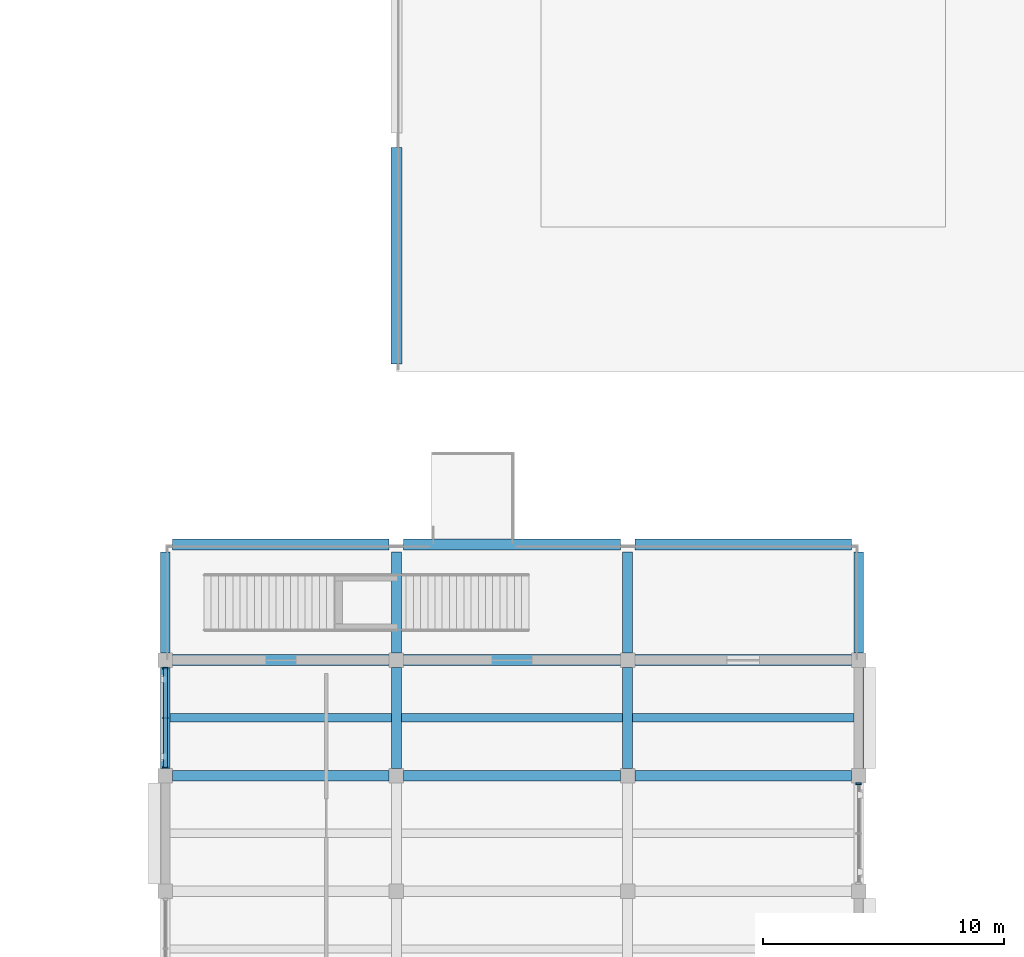
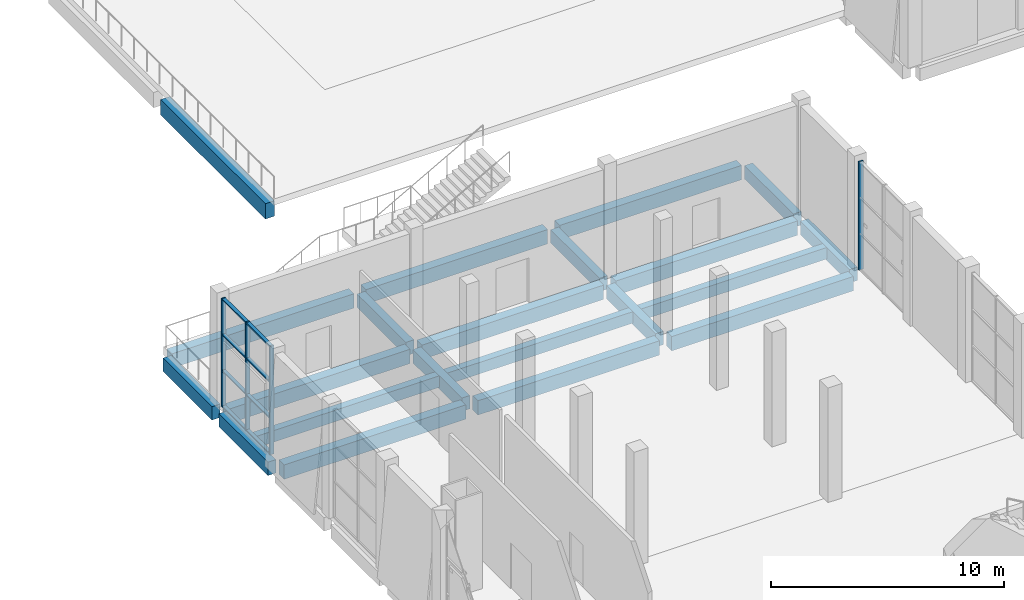
# One storey, part 16 of 84: 21 beams, 8 members, 2 elements without a shape of their own.
"""IFC4 building model written with IfcOpenShell, lengths in metres."""

from ifc_helpers import new_model, si_unit, direction, frame, origin, origin_2d, place, context, subcontext, project, spatial, rectangle, extrude, material, material_profile, profile_set, type_object, element, aggregate, save


model = new_model("IFC4")

# Units and contexts
model_context = context("Model", 3, precision=1e-05, world=origin(), true_north=direction((0.0, 1.0)))
body_context = subcontext(model_context, "Body", "Model", "MODEL_VIEW")
ifc_project = project(units=[si_unit("LENGTHUNIT", "METRE"), si_unit("AREAUNIT", "SQUARE_METRE"), si_unit("VOLUMEUNIT", "CUBIC_METRE"), si_unit("PLANEANGLEUNIT", "RADIAN"), si_unit("MASSUNIT", "GRAM", prefix="KILO")], contexts=[model_context])

# Site, building, storey
site_placement = place(None, origin())
site = spatial("IfcSite", under=ifc_project, at=site_placement, CompositionType="ELEMENT")
building_placement = place(site_placement, origin())
building = spatial("IfcBuilding", under=site, at=building_placement, Name="Shalvenor Court Art Gallery", CompositionType="ELEMENT")
storey_placement = place(building_placement, origin())
storey = spatial("IfcBuildingStorey", under=building, at=storey_placement, Name="L00", CompositionType="ELEMENT", Elevation=0.0)

# Beams
ifc_material_1 = material(Name="Concrete C40/50", Category="concrete")
ifc_material_profile_1 = material_profile(ifc_material_1, rectangle(XDim=0.449951171875, YDim=0.800048828125, at=origin_2d()), Name="RC 450x800")
ifc_profile_set_1 = profile_set([ifc_material_profile_1], Name="Concrete C40/50")
beam_type_1 = type_object("IfcBeamType", Name="B-03", PredefinedType="BEAM", material=ifc_profile_set_1)
beam_1_placement = place(storey_placement, frame((105.60009765625, 50.699951171875, -0.739990234375), z_axis=(0.0, 1.0, 0.0), x_axis=(-1.0, 0.0, 0.0)))
element("IfcBeam", 1, at=beam_1_placement, inside=storey, type_object=beam_type_1, Name="L00 Girder BM-L00-B-03-0083", PredefinedType="BEAM", context=body_context, shape_type="SweptSolid", body=[
    extrude(rectangle(XDim=0.449951171875, YDim=0.800048828125, at=origin_2d()), origin(), (0.0, 0.0, 1.0), 9.0),
])
ifc_material_2 = material(Name="Concrete C40/50", Category="concrete")
ifc_material_profile_2 = material_profile(ifc_material_2, rectangle(XDim=0.449951171875, YDim=0.75, at=origin_2d()), Name="RC 450x750")
ifc_profile_set_2 = profile_set([ifc_material_profile_2], Name="Concrete C40/50")
beam_type_2 = type_object("IfcBeamType", Name="B-04", PredefinedType="BEAM", material=ifc_profile_set_2)
for number, where, z_axis, x_axis, name in (
    (2, (96.300048828125, 33.60009765625, -0.715087890625), (1.0, 0.0, 0.0), (0.0, 1.0, 0.0), "L00 Girder BM-L00-B-04-0180"),
    (3, (105.89990234375, 33.60009765625, -0.715087890625), (1.0, 0.0, 0.0), (0.0, 1.0, 0.0), "L00 Girder BM-L00-B-04-0181"),
    (4, (115.5, 33.60009765625, -0.715087890625), (1.0, 0.0, 0.0), (0.0, 1.0, 0.0), "L00 Girder BM-L00-B-04-0182"),
    (5, (96.300048828125, 38.39990234375, -0.715087890625), (1.0, 0.0, 0.0), (0.0, 1.0, 0.0), "L00 Girder BM-L00-B-04-0183"),
    (6, (105.89990234375, 38.39990234375, -0.715087890625), (1.0, 0.0, 0.0), (0.0, 1.0, 0.0), "L00 Girder BM-L00-B-04-0184"),
    (7, (115.5, 38.39990234375, -0.715087890625), (1.0, 0.0, 0.0), (0.0, 1.0, 0.0), "L00 Girder BM-L00-B-04-0185"),
    (8, (96.300048828125, 43.199951171875, -0.715087890625), (1.0, 0.0, 0.0), (0.0, 1.0, 0.0), "L00 Girder BM-L00-B-04-0186"),
    (9, (105.89990234375, 43.199951171875, -0.715087890625), (1.0, 0.0, 0.0), (0.0, 1.0, 0.0), "L00 Girder BM-L00-B-04-0187"),
    (10, (115.5, 43.199951171875, -0.715087890625), (1.0, 0.0, 0.0), (0.0, 1.0, 0.0), "L00 Girder BM-L00-B-04-0188"),
):
    element("IfcBeam", number, at=place(storey_placement, frame(where, z_axis=z_axis, x_axis=x_axis)), inside=storey, type_object=beam_type_2, Name=name, PredefinedType="BEAM", context=body_context, shape_type="SweptSolid", body=[
        extrude(rectangle(XDim=0.449951171875, YDim=0.75, at=origin_2d()), origin(), (0.0, 0.0, 1.0), 9.0),
    ])
ifc_material_3 = material(Name="Concrete C40/50", Category="concrete")
ifc_material_profile_3 = material_profile(ifc_material_3, rectangle(XDim=0.39990234375, YDim=0.699951171875, at=origin_2d()), Name="RC 400x700")
ifc_profile_set_3 = profile_set([ifc_material_profile_3], Name="Concrete C40/50")
beam_type_3 = type_object("IfcBeamType", Name="B-05", PredefinedType="BEAM", material=ifc_profile_set_3)
beam_2_placement = place(storey_placement, frame((96.0, 33.89990234375, -0.68994140625), z_axis=(0.0, 1.0, 0.0), x_axis=(-1.0, 0.0, 0.0)))
element("IfcBeam", 11, at=beam_2_placement, inside=storey, type_object=beam_type_3, Name="L00 Girder BM-L00-B-05-0071", PredefinedType="BEAM", context=body_context, shape_type="SweptSolid", body=[
    extrude(rectangle(XDim=0.39990234375, YDim=0.699951171875, at=origin_2d()), origin(), (0.0, 0.0, 1.0), 4.2001953125),
])
beam_3_placement = place(storey_placement, frame((96.0, 38.699951171875, -0.68994140625), z_axis=(0.0, 1.0, 0.0), x_axis=(-1.0, 0.0, 0.0)))
element("IfcBeam", 12, at=beam_3_placement, inside=storey, type_object=beam_type_3, Name="L00 Girder BM-L00-B-05-0072", PredefinedType="BEAM", context=body_context, shape_type="SweptSolid", body=[
    extrude(rectangle(XDim=0.39990234375, YDim=0.699951171875, at=origin_2d()), origin(), (0.0, 0.0, 1.0), 4.199951171875),
])
beam_4_placement = place(storey_placement, frame((105.60009765625, 33.89990234375, -0.68994140625), z_axis=(0.0, 1.0, 0.0), x_axis=(-1.0, 0.0, 0.0)))
element("IfcBeam", 13, at=beam_4_placement, inside=storey, type_object=beam_type_3, Name="L00 Girder BM-L00-B-05-0081", PredefinedType="BEAM", context=body_context, shape_type="SweptSolid", body=[
    extrude(rectangle(XDim=0.39990234375, YDim=0.699951171875, at=origin_2d()), origin(), (0.0, 0.0, 1.0), 4.2001953125),
])
beam_5_placement = place(storey_placement, frame((105.60009765625, 38.699951171875, -0.68994140625), z_axis=(0.0, 1.0, 0.0), x_axis=(-1.0, 0.0, 0.0)))
element("IfcBeam", 14, at=beam_5_placement, inside=storey, type_object=beam_type_3, Name="L00 Girder BM-L00-B-05-0082", PredefinedType="BEAM", context=body_context, shape_type="SweptSolid", body=[
    extrude(rectangle(XDim=0.39990234375, YDim=0.699951171875, at=origin_2d()), origin(), (0.0, 0.0, 1.0), 4.199951171875),
])
beam_6_placement = place(storey_placement, frame((115.199951171875, 33.89990234375, -0.68994140625), z_axis=(0.0, 1.0, 0.0), x_axis=(-1.0, 0.0, 0.0)))
element("IfcBeam", 15, at=beam_6_placement, inside=storey, type_object=beam_type_3, Name="L00 Girder BM-L00-B-05-0093", PredefinedType="BEAM", context=body_context, shape_type="SweptSolid", body=[
    extrude(rectangle(XDim=0.39990234375, YDim=0.699951171875, at=origin_2d()), origin(), (0.0, 0.0, 1.0), 4.2001953125),
])
beam_7_placement = place(storey_placement, frame((115.199951171875, 38.699951171875, -0.68994140625), z_axis=(0.0, 1.0, 0.0), x_axis=(-1.0, 0.0, 0.0)))
element("IfcBeam", 16, at=beam_7_placement, inside=storey, type_object=beam_type_3, Name="L00 Girder BM-L00-B-05-0094", PredefinedType="BEAM", context=body_context, shape_type="SweptSolid", body=[
    extrude(rectangle(XDim=0.39990234375, YDim=0.699951171875, at=origin_2d()), origin(), (0.0, 0.0, 1.0), 4.199951171875),
])
beam_8_placement = place(storey_placement, frame((124.800048828125, 33.89990234375, -0.68994140625), z_axis=(0.0, 1.0, 0.0), x_axis=(-1.0, 0.0, 0.0)))
element("IfcBeam", 17, at=beam_8_placement, inside=storey, type_object=beam_type_3, Name="L00 Girder BM-L00-B-05-0101", PredefinedType="BEAM", context=body_context, shape_type="SweptSolid", body=[
    extrude(rectangle(XDim=0.39990234375, YDim=0.699951171875, at=origin_2d()), origin(), (0.0, 0.0, 1.0), 4.2001953125),
])
beam_9_placement = place(storey_placement, frame((124.800048828125, 38.699951171875, -0.68994140625), z_axis=(0.0, 1.0, 0.0), x_axis=(-1.0, 0.0, 0.0)))
element("IfcBeam", 18, at=beam_9_placement, inside=storey, type_object=beam_type_3, Name="L00 Girder BM-L00-B-05-0102", PredefinedType="BEAM", context=body_context, shape_type="SweptSolid", body=[
    extrude(rectangle(XDim=0.39990234375, YDim=0.699951171875, at=origin_2d()), origin(), (0.0, 0.0, 1.0), 4.199951171875),
])

# Curtain wall, members
ifc_material_4 = material(Name="Anodised aluminium and low-iron glass curtain wall", Category="aluminium")
curtain_wall_type_1 = type_object("IfcCurtainWallType", Name="CW-2x3-42-57-222", PredefinedType="USERDEFINED", material=ifc_material_4)
curtain_wall_1_placement = place(storey_placement, origin())
curtain_wall_1 = element("IfcCurtainWall", 19, at=curtain_wall_1_placement, inside=storey, type_object=curtain_wall_type_1, Name="L00 V3 Curtain Wall CW-L00-097", ObjectType="CURTAIN WALL", PredefinedType="USERDEFINED")
ifc_material_5 = material(Name="Anodised aluminium mullion", Category="aluminium")
ifc_material_profile_4 = material_profile(ifc_material_5, rectangle(XDim=0.070068359375, YDim=0.199951171875, at=origin_2d()), Name="CWM-02")
ifc_profile_set_4 = profile_set([ifc_material_profile_4], Name="Anodised aluminium mullion")
member_type_1 = type_object("IfcMemberType", Name="CWM-02", PredefinedType="MULLION", material=ifc_profile_set_4)
member_1_placement = place(storey_placement, frame((96.0, 33.93505859375, 0.0), z_axis=(0.0, 0.0, 1.0), x_axis=(0.0, 1.0, 0.0)))
member_1 = element("IfcMember", 20, at=member_1_placement, type_object=member_type_1, Name="CW-2x3-42-57-222 mullion 1", PredefinedType="MULLION", context=body_context, shape_type="SweptSolid", body=[
    extrude(rectangle(XDim=0.070068359375, YDim=0.199951171875, at=origin_2d()), origin(), (0.0, 0.0, 1.0), 5.679931640625),
])
member_2_placement = place(storey_placement, frame((96.0, 36.0, 0.0), z_axis=(0.0, 0.0, 1.0), x_axis=(0.0, 1.0, 0.0)))
member_2 = element("IfcMember", 21, at=member_2_placement, type_object=member_type_1, Name="CW-2x3-42-57-222 mullion 2", PredefinedType="MULLION", context=body_context, shape_type="SweptSolid", body=[
    extrude(rectangle(XDim=0.070068359375, YDim=0.199951171875, at=origin_2d()), origin(), (0.0, 0.0, 1.0), 5.679931640625),
])
member_3_placement = place(storey_placement, frame((96.0, 38.06494140625, 0.0), z_axis=(0.0, 0.0, 1.0), x_axis=(0.0, 1.0, 0.0)))
member_3 = element("IfcMember", 22, at=member_3_placement, type_object=member_type_1, Name="CW-2x3-42-57-222 mullion 3", PredefinedType="MULLION", context=body_context, shape_type="SweptSolid", body=[
    extrude(rectangle(XDim=0.070068359375, YDim=0.199951171875, at=origin_2d()), origin(), (0.0, 0.0, 1.0), 5.679931640625),
])

# Curtain wall, member
ifc_material_6 = material(Name="Anodised aluminium and low-iron glass curtain wall", Category="aluminium")
curtain_wall_type_2 = type_object("IfcCurtainWallType", Name="CW-2x3-42-57-412", PredefinedType="USERDEFINED", material=ifc_material_6)
curtain_wall_2_placement = place(storey_placement, origin())
curtain_wall_2 = element("IfcCurtainWall", 23, at=curtain_wall_2_placement, inside=storey, type_object=curtain_wall_type_2, Name="L00 V3 Curtain Wall CW-L00-090", ObjectType="CURTAIN WALL", PredefinedType="USERDEFINED")
ifc_material_7 = material(Name="Anodised aluminium mullion", Category="aluminium")
ifc_material_profile_5 = material_profile(ifc_material_7, rectangle(XDim=0.074951171875, YDim=0.219970703125, at=origin_2d()), Name="CWM-04")
ifc_profile_set_5 = profile_set([ifc_material_profile_5], Name="Anodised aluminium mullion")
member_type_2 = type_object("IfcMemberType", Name="CWM-04", PredefinedType="MULLION", material=ifc_profile_set_5)
member_4_placement = place(storey_placement, frame((124.800048828125, 33.262451171875, 0.0), z_axis=(0.0, 0.0, 1.0), x_axis=(0.0, -1.0, 0.0)))
member_4 = element("IfcMember", 24, at=member_4_placement, type_object=member_type_2, Name="CW-2x3-42-57-412 mullion 1", PredefinedType="MULLION", context=body_context, shape_type="SweptSolid", body=[
    extrude(rectangle(XDim=0.074951171875, YDim=0.219970703125, at=origin_2d()), origin(), (0.0, 0.0, 1.0), 5.679931640625),
])
aggregate(curtain_wall_2, [member_4])

# Member
ifc_material_8 = material(Name="Anodised aluminium transom", Category="aluminium")
ifc_material_profile_6 = material_profile(ifc_material_8, rectangle(XDim=0.169921875, YDim=0.06494140625, at=origin_2d()), Name="CWT-02")
ifc_profile_set_6 = profile_set([ifc_material_profile_6], Name="Anodised aluminium transom")
member_type_3 = type_object("IfcMemberType", Name="CWT-02", PredefinedType="USERDEFINED", material=ifc_profile_set_6)
member_5_placement = place(storey_placement, frame((96.0, 33.93505859375, 0.032470703125), z_axis=(0.0, 1.0, 0.0), x_axis=(-1.0, 0.0, 0.0)))
member_5 = element("IfcMember", 25, at=member_5_placement, type_object=member_type_3, Name="CW-2x3-42-57-222 transom 1", ObjectType="TRANSOM", PredefinedType="USERDEFINED", context=body_context, shape_type="SweptSolid", body=[
    extrude(rectangle(XDim=0.169921875, YDim=0.06494140625, at=origin_2d()), origin(), (0.0, 0.0, 1.0), 4.1298828125),
])

member_6_placement = place(storey_placement, frame((96.0, 33.93505859375, 1.893310546875), z_axis=(0.0, 1.0, 0.0), x_axis=(-1.0, 0.0, 0.0)))
member_6 = element("IfcMember", 26, at=member_6_placement, type_object=member_type_3, Name="CW-2x3-42-57-222 transom 2", ObjectType="TRANSOM", PredefinedType="USERDEFINED", context=body_context, shape_type="SweptSolid", body=[
    extrude(rectangle(XDim=0.169921875, YDim=0.06494140625, at=origin_2d()), origin(), (0.0, 0.0, 1.0), 4.1298828125),
])

member_7_placement = place(storey_placement, frame((96.0, 33.93505859375, 3.78662109375), z_axis=(0.0, 1.0, 0.0), x_axis=(-1.0, 0.0, 0.0)))
member_7 = element("IfcMember", 27, at=member_7_placement, type_object=member_type_3, Name="CW-2x3-42-57-222 transom 3", ObjectType="TRANSOM", PredefinedType="USERDEFINED", context=body_context, shape_type="SweptSolid", body=[
    extrude(rectangle(XDim=0.169921875, YDim=0.06494140625, at=origin_2d()), origin(), (0.0, 0.0, 1.0), 4.1298828125),
])

member_8_placement = place(storey_placement, frame((96.0, 33.93505859375, 5.6474609375), z_axis=(0.0, 1.0, 0.0), x_axis=(-1.0, 0.0, 0.0)))
member_8 = element("IfcMember", 28, at=member_8_placement, type_object=member_type_3, Name="CW-2x3-42-57-222 transom 4", ObjectType="TRANSOM", PredefinedType="USERDEFINED", context=body_context, shape_type="SweptSolid", body=[
    extrude(rectangle(XDim=0.169921875, YDim=0.06494140625, at=origin_2d()), origin(), (0.0, 0.0, 1.0), 4.1298828125),
])

aggregate(curtain_wall_1, [member_1, member_2, member_3, member_5, member_6, member_7, member_8])

# Beams
ifc_material_9 = material(Name="Concrete C40/50", Category="concrete")
ifc_material_profile_7 = material_profile(ifc_material_9, rectangle(XDim=0.35009765625, YDim=0.60009765625, at=origin_2d()), Name="RC 350x600")
ifc_profile_set_7 = profile_set([ifc_material_profile_7], Name="Concrete C40/50")
beam_type_4 = type_object("IfcBeamType", Name="J-01", PredefinedType="JOIST", material=ifc_profile_set_7)
for number, where, z_axis, x_axis, name in (
    (29, (96.199951171875, 36.0, -0.639892578125), (1.0, 0.0, 0.0), (0.0, 1.0, 0.0), "L00 Secondary Beam JST-L00-J-01-0323"),
    (30, (105.800048828125, 36.0, -0.639892578125), (1.0, 0.0, 0.0), (0.0, 1.0, 0.0), "L00 Secondary Beam JST-L00-J-01-0330"),
):
    element("IfcBeam", number, at=place(storey_placement, frame(where, z_axis=z_axis, x_axis=x_axis)), inside=storey, type_object=beam_type_4, Name=name, PredefinedType="JOIST", context=body_context, shape_type="SweptSolid", body=[
        extrude(rectangle(XDim=0.35009765625, YDim=0.60009765625, at=origin_2d()), origin(), (0.0, 0.0, 1.0), 9.199951171875),
    ])
beam_10_placement = place(storey_placement, frame((115.39990234375, 36.0, -0.639892578125), z_axis=(1.0, 0.0, 0.0), x_axis=(0.0, 1.0, 0.0)))
element("IfcBeam", 31, at=beam_10_placement, inside=storey, type_object=beam_type_4, Name="L00 Secondary Beam JST-L00-J-01-0335", PredefinedType="JOIST", context=body_context, shape_type="SweptSolid", body=[
    extrude(rectangle(XDim=0.35009765625, YDim=0.60009765625, at=origin_2d()), origin(), (0.0, 0.0, 1.0), 9.2001953125),
])

save(model, "model.ifc")
